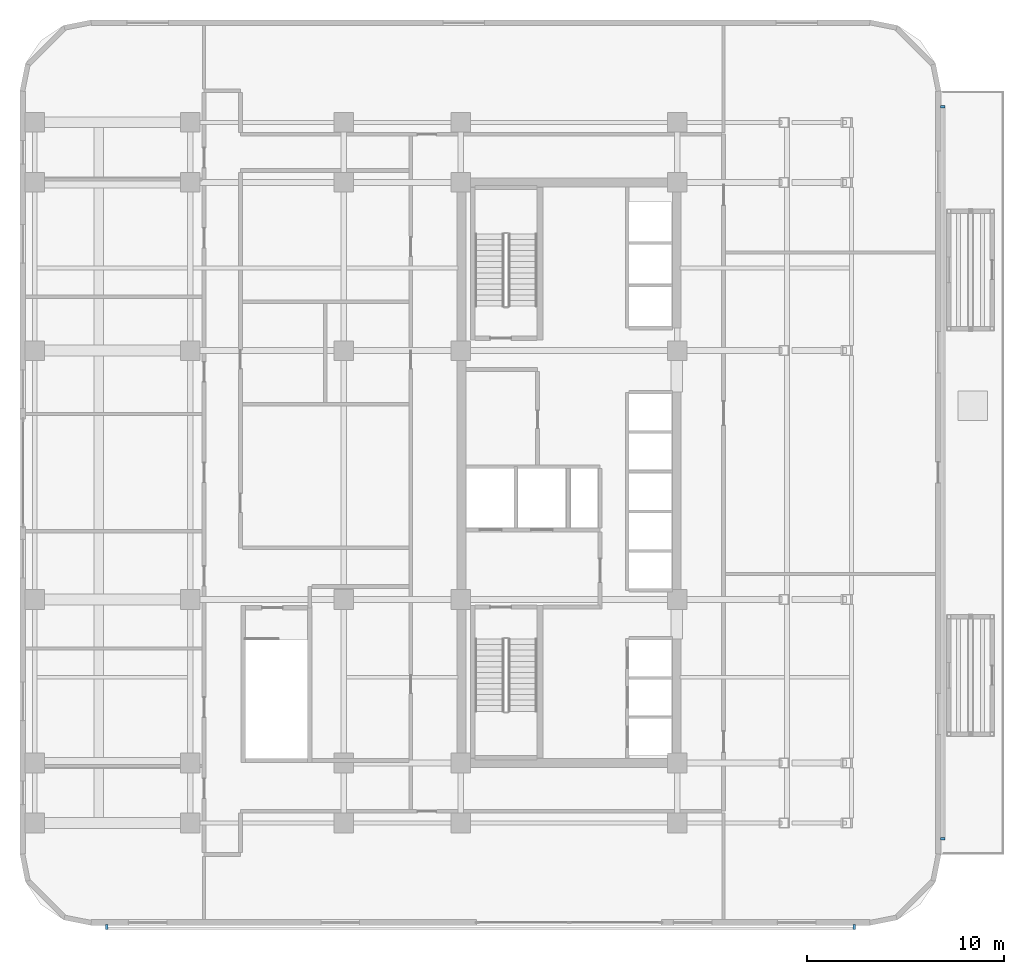
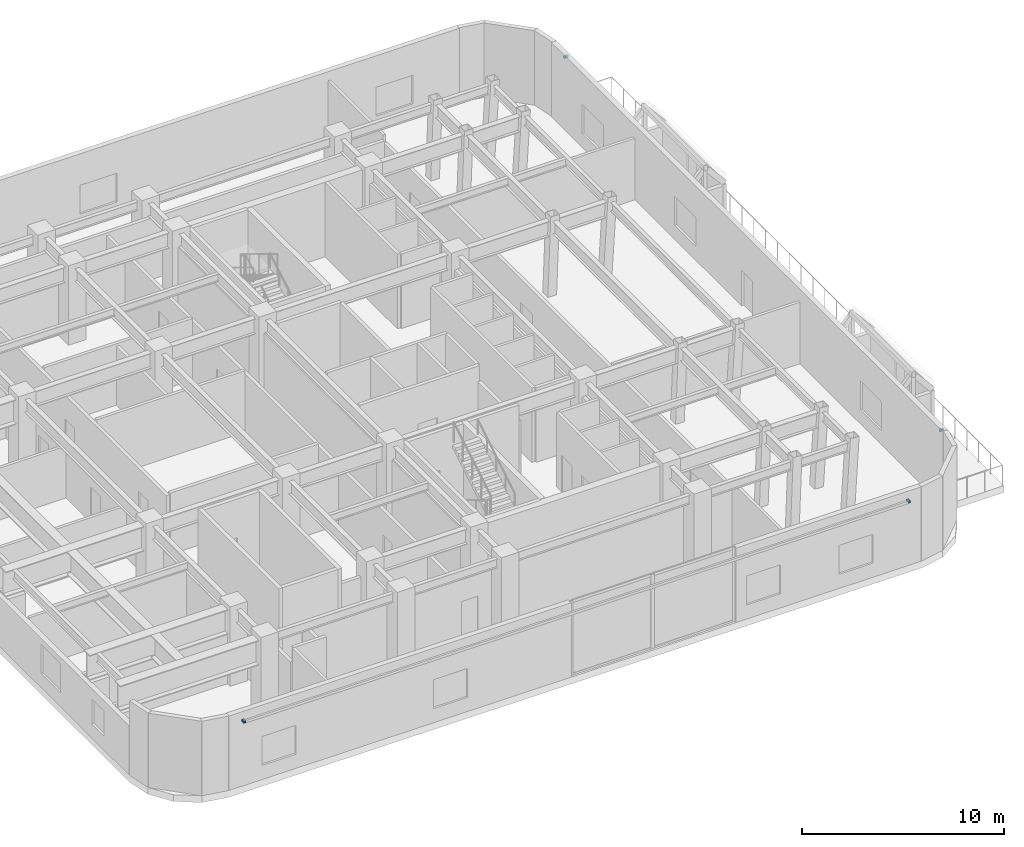
# One storey, part 14 of 18: 4 discrete accessories.
"""IFC4 building model written with IfcOpenShell, lengths in metres."""

from ifc_helpers import new_model, si_unit, direction, frame, origin, origin_2d, place, context, subcontext, project, spatial, rectangle, extrude, material, type_object, element, save


model = new_model("IFC4")

# Units and contexts
model_context = context("Model", 3, precision=1e-05, world=origin(), true_north=direction((0.0, 1.0)))
body_context = subcontext(model_context, "Body", "Model", "MODEL_VIEW")
ifc_project = project(units=[si_unit("LENGTHUNIT", "METRE"), si_unit("AREAUNIT", "SQUARE_METRE"), si_unit("VOLUMEUNIT", "CUBIC_METRE"), si_unit("PLANEANGLEUNIT", "RADIAN"), si_unit("MASSUNIT", "GRAM", prefix="KILO")], contexts=[model_context])

# Site, building, storey
site_placement = place(None, origin())
site = spatial("IfcSite", under=ifc_project, at=site_placement, CompositionType="ELEMENT")
building_placement = place(site_placement, origin())
building = spatial("IfcBuilding", under=site, at=building_placement, Name="Ochreholt Gables", CompositionType="ELEMENT")
storey_placement = place(building_placement, frame((0.0, 0.0, 19.199951171875)))
storey = spatial("IfcBuildingStorey", under=building, at=storey_placement, Name="L04", CompositionType="ELEMENT", Elevation=19.199951171875)

# Discrete accessories
ifc_material = material(Name="Extruded Aluminium Standoff Bracket", Category="aluminium")
discrete_accessory_type = type_object("IfcDiscreteAccessoryType", Name="ACC-BRACKET-AL", PredefinedType="BRACKET", material=ifc_material)
for number, where, z_axis, x_axis, name in (
    (1, (6.199951171875, 0.909912109375, 3.919921875), (0.0, 0.0, 1.0), (1.0, 0.0, 0.0), "L04 Baguette Standoff Bracket S1-1"),
    (2, (44.199951171875, 0.909912109375, 3.919921875), (0.0, 0.0, 1.0), (1.0, 0.0, 0.0), "L04 Baguette Standoff Bracket S1-2"),
    (3, (48.68994140625, 5.39990234375, 3.919921875), (0.0, 0.0, 1.0), (0.0, 1.0, 0.0), "L04 Baguette Standoff Bracket E1-1"),
    (4, (48.68994140625, 42.60009765625, 3.919921875), (0.0, 0.0, 1.0), (0.0, 1.0, 0.0), "L04 Baguette Standoff Bracket E1-2"),
):
    element("IfcDiscreteAccessory", number, at=place(storey_placement, frame(where, z_axis=z_axis, x_axis=x_axis)), inside=storey, type_object=discrete_accessory_type, Name=name, PredefinedType="BRACKET", context=body_context, shape_type="SweptSolid", body=[
        extrude(rectangle(XDim=0.1201171875, YDim=0.239990234375, at=origin_2d()), origin(), (0.0, 0.0, 1.0), 0.1201171875),
    ])

save(model, "model.ifc")
